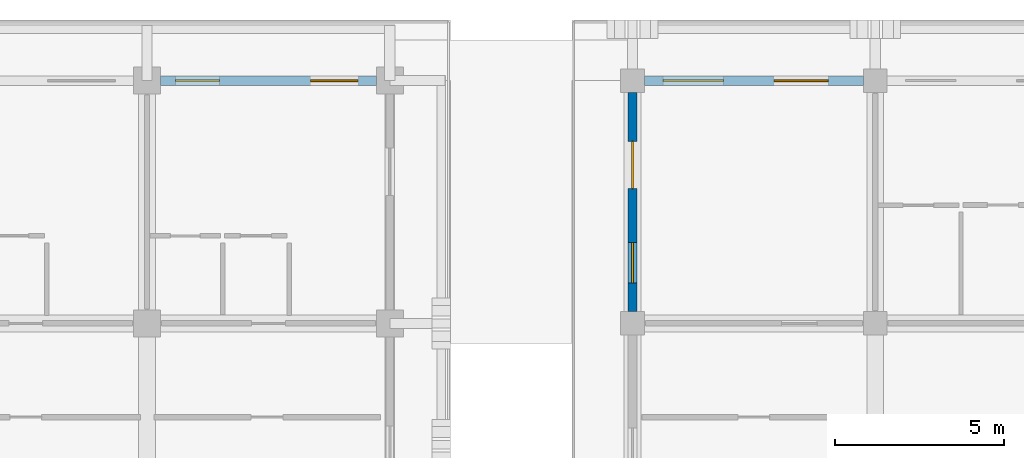
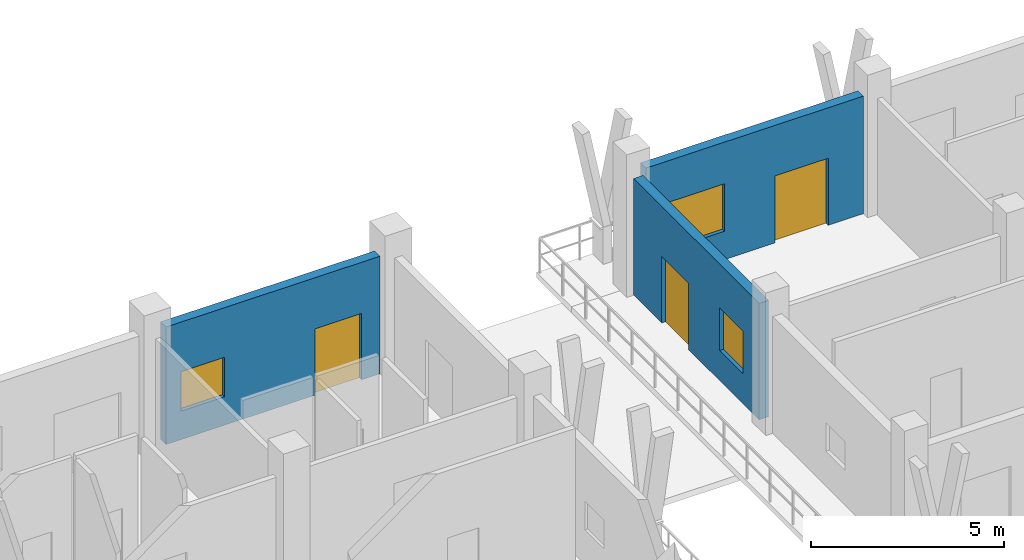
# One storey, part 80 of 110: 3 doors, 3 walls, 3 windows, 6 openings.
"""IFC4 building model written with IfcOpenShell, lengths in metres."""

from ifc_helpers import new_model, si_unit, direction, frame, frame_2d, origin, place, context, subcontext, project, spatial, rectangle, extrude, material, layer, layer_set, type_object, element, fill, save


model = new_model("IFC4")

# Units and contexts
model_context = context("Model", 3, precision=1e-05, world=origin(), true_north=direction((0.0, 1.0)))
body_context = subcontext(model_context, "Body", "Model", "MODEL_VIEW")
ifc_project = project(units=[si_unit("LENGTHUNIT", "METRE"), si_unit("AREAUNIT", "SQUARE_METRE"), si_unit("VOLUMEUNIT", "CUBIC_METRE"), si_unit("PLANEANGLEUNIT", "RADIAN"), si_unit("MASSUNIT", "GRAM", prefix="KILO")], contexts=[model_context])

# Site, building, storey
site_placement = place(None, origin())
site = spatial("IfcSite", under=ifc_project, at=site_placement, CompositionType="ELEMENT")
building_placement = place(site_placement, origin())
building = spatial("IfcBuilding", under=site, at=building_placement, Name="Suanplinth Sawtooth Commons", CompositionType="ELEMENT")
storey_placement = place(building_placement, frame((0.0, 0.0, 4.5)))
storey = spatial("IfcBuildingStorey", under=building, at=storey_placement, Name="L01", CompositionType="ELEMENT", Elevation=4.5)

# Wall, openings, door, window
ifc_material_1 = material(Name="Precast concrete C40/50", Category="concrete")
ifc_layer = layer(ifc_material_1, 0.280029296875, Name="Insulated precast architectural facade wall 280mm")
ifc_layer_set = layer_set([ifc_layer], Name="Precast concrete C40/50")
wall_type = type_object("IfcWallType", Name="W-EX01", PredefinedType="ELEMENTEDWALL", material=ifc_layer_set)
wall_1_placement = place(storey_placement, frame((108.39990234375, 122.39990234375, 0.0), z_axis=(0.0, 0.0, 1.0), x_axis=(1.0, 0.0, 0.0)))
wall_1 = element("IfcWall", 1, at=wall_1_placement, inside=storey, type_object=wall_type, Name="Facade Wall W-L01-A-N-15", PredefinedType="ELEMENTEDWALL", context=body_context, shape_type="SweptSolid", body=[
    extrude(rectangle(XDim=6.400146484375, YDim=0.280029296875, at=frame_2d((3.2001953125, 0.0))), origin(), (0.0, 0.0, 1.0), 3.715087890625),
])
opening_1_placement = place(wall_1_placement, frame((4.449951171875, 0.0, 0.0)))
opening_1 = element("IfcOpeningElement", 2, at=opening_1_placement, cuts=wall_1, Name="Opening ED0061", PredefinedType="OPENING", context=body_context, shape_type="SweptSolid", body=[
    extrude(rectangle(XDim=1.39990234375, YDim=2.10009765625, at=frame_2d((0.699951171875, 1.050048828125))), frame((0.0, 0.15478515625, 0.0), z_axis=(0.0, -1.0, 0.0), x_axis=(1.0, 0.0, 0.0)), (0.0, 0.0, 1.0), 0.309814453125),
])
opening_2_placement = place(wall_1_placement, frame((0.449951171875, 0.0, 0.89990234375)))
opening_2 = element("IfcOpeningElement", 3, at=opening_2_placement, cuts=wall_1, Name="Opening W0183", PredefinedType="OPENING", context=body_context, shape_type="SweptSolid", body=[
    extrude(rectangle(XDim=1.300048828125, YDim=1.25, at=frame_2d((0.64990234375, 0.625))), frame((0.0, 0.15478515625, 0.0), z_axis=(0.0, -1.0, 0.0), x_axis=(1.0, 0.0, 0.0)), (0.0, 0.0, 1.0), 0.309814453125),
])
ifc_material_2 = material(Name="Anodized aluminium and low-E glass", Category="aluminium")
door_type_1 = type_object("IfcDoorType", Name="SD-07", OperationType="SLIDING_TO_RIGHT", PredefinedType="DOOR", material=ifc_material_2)
door_1_placement = place(opening_1_placement, frame((1.39990234375, 0.0, 0.0), z_axis=(0.0, 0.0, 1.0), x_axis=(-1.0, 0.0, 0.0)))
door_1 = element("IfcDoor", 4, at=door_1_placement, inside=storey, type_object=door_type_1, Name="Balcony Sliding Door L01-A-N-15", OperationType="SLIDING_TO_RIGHT", OverallHeight=2.10009765625, OverallWidth=1.39990234375, PredefinedType="DOOR", context=body_context, shape_type="SweptSolid", body=[
    extrude(rectangle(XDim=1.39990234375, YDim=2.10009765625, at=frame_2d((0.699951171875, 1.050048828125))), frame((0.0, 0.02490234375, 0.0), z_axis=(0.0, -1.0, 0.0), x_axis=(1.0, 0.0, 0.0)), (0.0, 0.0, 1.0), 0.050048828125),
])
fill(opening_1, door_1)
ifc_material_3 = material(Name="Thermally broken aluminium and low-E double glazing", Category="aluminium")
window_type_1 = type_object("IfcWindowType", Name="WN-24", PartitioningType="SINGLE_PANEL", PredefinedType="WINDOW", material=ifc_material_3)
window_1_placement = place(opening_2_placement, origin())
window_1 = element("IfcWindow", 5, at=window_1_placement, inside=storey, type_object=window_type_1, Name="Window L01-A-N-15", OverallHeight=1.25, OverallWidth=1.300048828125, PartitioningType="SINGLE_PANEL", PredefinedType="WINDOW", context=body_context, shape_type="SweptSolid", body=[
    extrude(rectangle(XDim=1.300048828125, YDim=1.25, at=frame_2d((0.64990234375, 0.625))), frame((0.0, 0.030029296875, 0.0), z_axis=(0.0, -1.0, 0.0), x_axis=(1.0, 0.0, 0.0)), (0.0, 0.0, 1.0), 0.06005859375),
])
fill(opening_2, window_1)

wall_2_placement = place(storey_placement, frame((122.75, 122.39990234375, 0.0), z_axis=(0.0, 0.0, 1.0), x_axis=(1.0, 0.0, 0.0)))
wall_2 = element("IfcWall", 6, at=wall_2_placement, inside=storey, type_object=wall_type, Name="Facade Wall W-L01-B-N-17-16", PredefinedType="ELEMENTEDWALL", context=body_context, shape_type="SweptSolid", body=[
    extrude(rectangle(XDim=6.5, YDim=0.280029296875, at=frame_2d((3.25, 0.0))), origin(), (0.0, 0.0, 1.0), 3.715087890625),
])
opening_3_placement = place(wall_2_placement, frame((3.85009765625, 0.0, 0.0)))
opening_3 = element("IfcOpeningElement", 7, at=opening_3_placement, cuts=wall_2, Name="Opening ED0066", PredefinedType="OPENING", context=body_context, shape_type="SweptSolid", body=[
    extrude(rectangle(XDim=1.60009765625, YDim=2.1201171875, at=frame_2d((0.800048828125, 1.06005859375))), frame((0.0, 0.15478515625, 0.0), z_axis=(0.0, -1.0, 0.0), x_axis=(1.0, 0.0, 0.0)), (0.0, 0.0, 1.0), 0.309814453125),
])
opening_4_placement = place(wall_2_placement, frame((0.550048828125, 0.0, 0.89990234375)))
opening_4 = element("IfcOpeningElement", 8, at=opening_4_placement, cuts=wall_2, Name="Opening W0188", PredefinedType="OPENING", context=body_context, shape_type="SweptSolid", body=[
    extrude(rectangle(XDim=1.800048828125, YDim=1.5, at=frame_2d((0.89990234375, 0.75))), frame((0.0, 0.15478515625, 0.0), z_axis=(0.0, -1.0, 0.0), x_axis=(1.0, 0.0, 0.0)), (0.0, 0.0, 1.0), 0.309814453125),
])
door_type_2 = type_object("IfcDoorType", Name="SD-02", OperationType="SLIDING_TO_RIGHT", PredefinedType="DOOR", material=ifc_material_2)
door_2_placement = place(opening_3_placement, frame((1.60009765625, 0.0, 0.0), z_axis=(0.0, 0.0, 1.0), x_axis=(-1.0, 0.0, 0.0)))
door_2 = element("IfcDoor", 9, at=door_2_placement, inside=storey, type_object=door_type_2, Name="Balcony Sliding Door L01-B-17", OperationType="SLIDING_TO_RIGHT", OverallHeight=2.1201171875, OverallWidth=1.60009765625, PredefinedType="DOOR", context=body_context, shape_type="SweptSolid", body=[
    extrude(rectangle(XDim=1.60009765625, YDim=2.1201171875, at=frame_2d((0.800048828125, 1.06005859375))), frame((0.0, 0.02490234375, 0.0), z_axis=(0.0, -1.0, 0.0), x_axis=(1.0, 0.0, 0.0)), (0.0, 0.0, 1.0), 0.050048828125),
])
fill(opening_3, door_2)
window_type_2 = type_object("IfcWindowType", Name="WN-01", PartitioningType="DOUBLE_PANEL_VERTICAL", PredefinedType="WINDOW", material=ifc_material_3)
window_2_placement = place(opening_4_placement, origin())
window_2 = element("IfcWindow", 10, at=window_2_placement, inside=storey, type_object=window_type_2, Name="Apartment Window L01-B-17", OverallHeight=1.5, OverallWidth=1.800048828125, PartitioningType="DOUBLE_PANEL_VERTICAL", PredefinedType="WINDOW", context=body_context, shape_type="SweptSolid", body=[
    extrude(rectangle(XDim=1.800048828125, YDim=1.5, at=frame_2d((0.89990234375, 0.75))), frame((0.0, 0.030029296875, 0.0), z_axis=(0.0, -1.0, 0.0), x_axis=(1.0, 0.0, 0.0)), (0.0, 0.0, 1.0), 0.06005859375),
])
fill(opening_4, window_2)

wall_3_placement = place(storey_placement, frame((122.39990234375, 115.550048828125, 0.0), z_axis=(0.0, 0.0, 1.0), x_axis=(0.0, 1.0, 0.0)))
wall_3 = element("IfcWall", 11, at=wall_3_placement, inside=storey, type_object=wall_type, Name="Facade Wall W-L01-B-W-17-16", PredefinedType="ELEMENTEDWALL", context=body_context, shape_type="SweptSolid", body=[
    extrude(rectangle(XDim=6.5, YDim=0.280029296875, at=frame_2d((3.25, 0.0))), origin(), (0.0, 0.0, 1.0), 3.68505859375),
])
opening_5_placement = place(wall_3_placement, frame((3.64990234375, 0.0, 0.0)))
opening_5 = element("IfcOpeningElement", 12, at=opening_5_placement, cuts=wall_3, Name="Opening ED0067", PredefinedType="OPENING", context=body_context, shape_type="SweptSolid", body=[
    extrude(rectangle(XDim=1.39990234375, YDim=2.10009765625, at=frame_2d((0.699951171875, 1.050048828125))), frame((0.0, 0.15478515625, 0.0), z_axis=(0.0, -1.0, 0.0), x_axis=(1.0, 0.0, 0.0)), (0.0, 0.0, 1.0), 0.309814453125),
])
opening_6_placement = place(wall_3_placement, frame((0.85009765625, 0.0, 0.949951171875)))
opening_6 = element("IfcOpeningElement", 13, at=opening_6_placement, cuts=wall_3, Name="Opening W0189", PredefinedType="OPENING", context=body_context, shape_type="SweptSolid", body=[
    extrude(rectangle(XDim=1.199951171875, YDim=1.35009765625, at=frame_2d((0.60009765625, 0.675048828125))), frame((0.0, 0.15478515625, 0.0), z_axis=(0.0, -1.0, 0.0), x_axis=(1.0, 0.0, 0.0)), (0.0, 0.0, 1.0), 0.309814453125),
])
door_3_placement = place(opening_5_placement, frame((1.39990234375, 0.0, 0.0), z_axis=(0.0, 0.0, 1.0), x_axis=(-1.0, 0.0, 0.0)))
door_3 = element("IfcDoor", 14, at=door_3_placement, inside=storey, type_object=door_type_1, Name="End Balcony Sliding Door L01-B-W-17-16", OperationType="SLIDING_TO_RIGHT", OverallHeight=2.10009765625, OverallWidth=1.39990234375, PredefinedType="DOOR", context=body_context, shape_type="SweptSolid", body=[
    extrude(rectangle(XDim=1.39990234375, YDim=2.10009765625, at=frame_2d((0.699951171875, 1.050048828125))), frame((0.0, 0.02490234375, 0.0), z_axis=(0.0, -1.0, 0.0), x_axis=(1.0, 0.0, 0.0)), (0.0, 0.0, 1.0), 0.050048828125),
])
fill(opening_5, door_3)
window_type_3 = type_object("IfcWindowType", Name="WN-03", PartitioningType="SINGLE_PANEL", PredefinedType="WINDOW", material=ifc_material_3)
window_3_placement = place(opening_6_placement, origin())
window_3 = element("IfcWindow", 15, at=window_3_placement, inside=storey, type_object=window_type_3, Name="End Bedroom Window L01-B-17-16", OverallHeight=1.35009765625, OverallWidth=1.199951171875, PartitioningType="SINGLE_PANEL", PredefinedType="WINDOW", context=body_context, shape_type="SweptSolid", body=[
    extrude(rectangle(XDim=1.199951171875, YDim=1.35009765625, at=frame_2d((0.60009765625, 0.675048828125))), frame((0.0, 0.030029296875, 0.0), z_axis=(0.0, -1.0, 0.0), x_axis=(1.0, 0.0, 0.0)), (0.0, 0.0, 1.0), 0.06005859375),
])
fill(opening_6, window_3)

save(model, "model.ifc")
